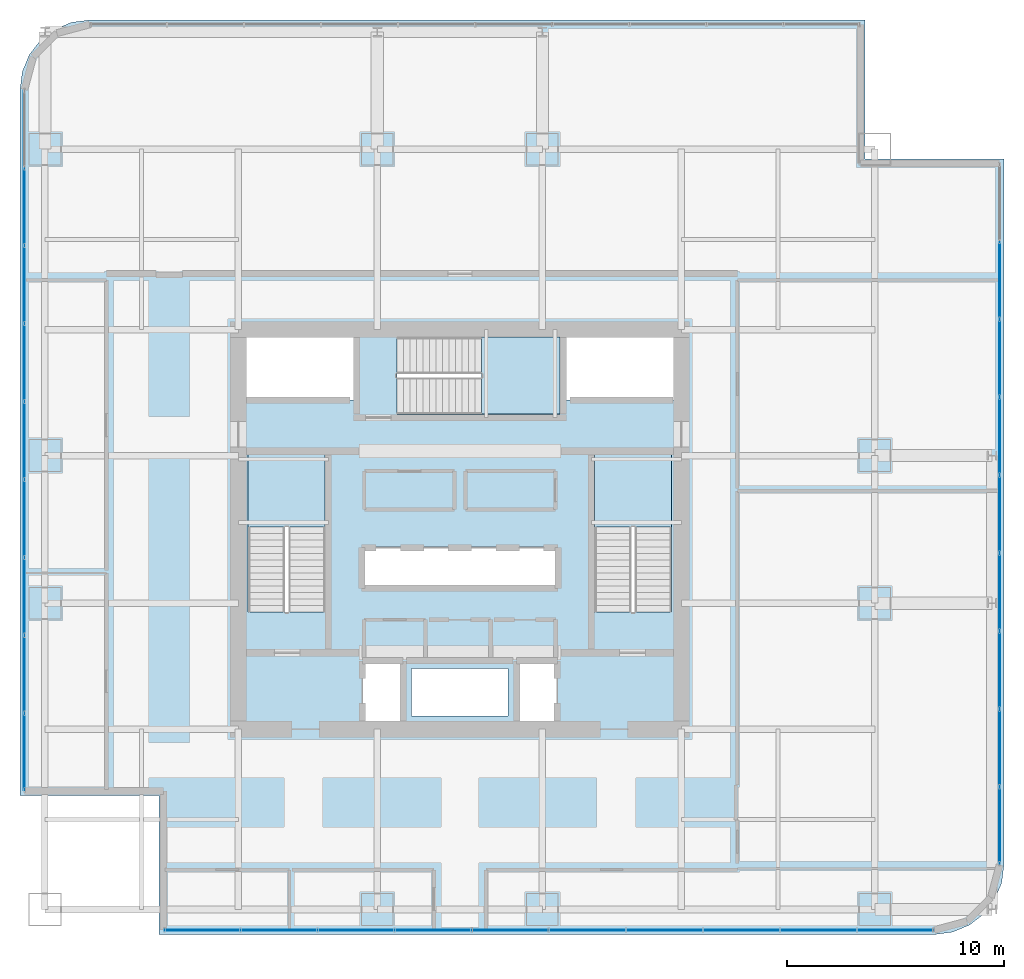
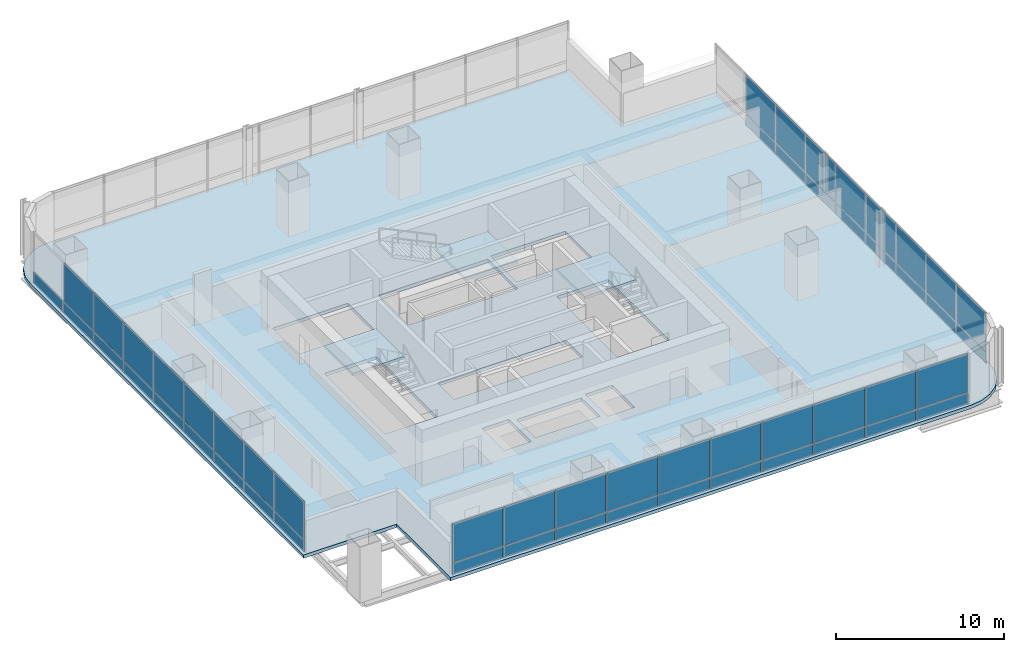
# One storey, part 26 of 33: 53 plates, 4 slabs, 6 elements without a shape of their own.
"""IFC4 building model written with IfcOpenShell, lengths in metres."""

from ifc_helpers import new_model, si_unit, direction, frame, origin, origin_2d, place, context, subcontext, project, spatial, polyline, rectangle, outline, extrude, material, layer, layer_set, type_object, element, aggregate, save


model = new_model("IFC4")

# Units and contexts
model_context = context("Model", 3, precision=1e-05, world=origin(), true_north=direction((0.0, 1.0)))
body_context = subcontext(model_context, "Body", "Model", "MODEL_VIEW")
ifc_project = project(units=[si_unit("LENGTHUNIT", "METRE"), si_unit("AREAUNIT", "SQUARE_METRE"), si_unit("VOLUMEUNIT", "CUBIC_METRE"), si_unit("PLANEANGLEUNIT", "RADIAN"), si_unit("MASSUNIT", "GRAM", prefix="KILO")], contexts=[model_context])

# Site, building, storey
site_placement = place(None, origin())
site = spatial("IfcSite", under=ifc_project, at=site_placement, CompositionType="ELEMENT")
building_placement = place(site_placement, origin())
building = spatial("IfcBuilding", under=site, at=building_placement, Name="Punatoya Terracotta Tower", CompositionType="ELEMENT")
storey_placement = place(building_placement, frame((0.0, 0.0, 121.35009765625)))
storey = spatial("IfcBuildingStorey", under=building, at=storey_placement, Name="L28", CompositionType="ELEMENT", Elevation=121.35009765625)

# Curtain wall, plates
ifc_material_1 = material(Name="Aluminium 6063-T6 + Double Low-E Glass", Category="aluminium")
curtain_wall_type = type_object("IfcCurtainWallType", Name="CW-M1", PredefinedType="NOTDEFINED", material=ifc_material_1)
curtain_wall_1_placement = place(storey_placement, origin())
curtain_wall_1 = element("IfcCurtainWall", 1, at=curtain_wall_1_placement, inside=storey, type_object=curtain_wall_type, Name="L28 Curtain Wall CW-L28-S01-1", PredefinedType="NOTDEFINED")
ifc_material_2 = material(Name="Double Low-E Clear Vision Glass", Category="glass")
ifc_layer_1 = layer(ifc_material_2, 0.028076171875)
ifc_layer_set_1 = layer_set([ifc_layer_1], Name="Double Low-E Clear Vision Glass")
plate_type_1 = type_object("IfcPlateType", Name="PLT-GLZ-28", PredefinedType="CURTAIN_PANEL", material=ifc_layer_set_1)
plate_1_placement = place(storey_placement, frame((-11.875732421875, -18.449951171875, 0.8896484375), z_axis=(0.0, 0.0, 1.0), x_axis=(1.0, 0.0, 0.0)))
plate_1 = element("IfcPlate", 2, at=plate_1_placement, type_object=plate_type_1, Name="CW-L28-S01-1 Vision Glass Panel 1", PredefinedType="CURTAIN_PANEL", context=body_context, shape_type="SweptSolid", body=[
    extrude(rectangle(XDim=3.463623046875, YDim=0.028076171875, at=origin_2d()), origin(), (0.0, 0.0, 1.0), 2.800048828125),
])
plate_2_placement = place(storey_placement, frame((-8.326904296875, -18.449951171875, 0.8896484375), z_axis=(0.0, 0.0, 1.0), x_axis=(1.0, 0.0, 0.0)))
plate_2 = element("IfcPlate", 3, at=plate_2_placement, type_object=plate_type_1, Name="CW-L28-S01-1 Vision Glass Panel 2", PredefinedType="CURTAIN_PANEL", context=body_context, shape_type="SweptSolid", body=[
    extrude(rectangle(XDim=3.463623046875, YDim=0.028076171875, at=origin_2d()), origin(), (0.0, 0.0, 1.0), 2.800048828125),
])
plate_3_placement = place(storey_placement, frame((-4.7783203125, -18.449951171875, 0.8896484375), z_axis=(0.0, 0.0, 1.0), x_axis=(1.0, 0.0, 0.0)))
plate_3 = element("IfcPlate", 4, at=plate_3_placement, type_object=plate_type_1, Name="CW-L28-S01-1 Vision Glass Panel 3", PredefinedType="CURTAIN_PANEL", context=body_context, shape_type="SweptSolid", body=[
    extrude(rectangle(XDim=3.463623046875, YDim=0.028076171875, at=origin_2d()), origin(), (0.0, 0.0, 1.0), 2.800048828125),
])
plate_4_placement = place(storey_placement, frame((-1.2294921875, -18.449951171875, 0.8896484375), z_axis=(0.0, 0.0, 1.0), x_axis=(1.0, 0.0, 0.0)))
plate_4 = element("IfcPlate", 5, at=plate_4_placement, type_object=plate_type_1, Name="CW-L28-S01-1 Vision Glass Panel 4", PredefinedType="CURTAIN_PANEL", context=body_context, shape_type="SweptSolid", body=[
    extrude(rectangle(XDim=3.463623046875, YDim=0.028076171875, at=origin_2d()), origin(), (0.0, 0.0, 1.0), 2.800048828125),
])
plate_5_placement = place(storey_placement, frame((2.319091796875, -18.449951171875, 0.8896484375), z_axis=(0.0, 0.0, 1.0), x_axis=(1.0, 0.0, 0.0)))
plate_5 = element("IfcPlate", 6, at=plate_5_placement, type_object=plate_type_1, Name="CW-L28-S01-1 Vision Glass Panel 5", PredefinedType="CURTAIN_PANEL", context=body_context, shape_type="SweptSolid", body=[
    extrude(rectangle(XDim=3.463623046875, YDim=0.028076171875, at=origin_2d()), origin(), (0.0, 0.0, 1.0), 2.800048828125),
])
plate_6_placement = place(storey_placement, frame((5.867919921875, -18.449951171875, 0.8896484375), z_axis=(0.0, 0.0, 1.0), x_axis=(1.0, 0.0, 0.0)))
plate_6 = element("IfcPlate", 7, at=plate_6_placement, type_object=plate_type_1, Name="CW-L28-S01-1 Vision Glass Panel 6", PredefinedType="CURTAIN_PANEL", context=body_context, shape_type="SweptSolid", body=[
    extrude(rectangle(XDim=3.463623046875, YDim=0.028076171875, at=origin_2d()), origin(), (0.0, 0.0, 1.0), 2.800048828125),
])
plate_7_placement = place(storey_placement, frame((9.41650390625, -18.449951171875, 0.8896484375), z_axis=(0.0, 0.0, 1.0), x_axis=(1.0, 0.0, 0.0)))
plate_7 = element("IfcPlate", 8, at=plate_7_placement, type_object=plate_type_1, Name="CW-L28-S01-1 Vision Glass Panel 7", PredefinedType="CURTAIN_PANEL", context=body_context, shape_type="SweptSolid", body=[
    extrude(rectangle(XDim=3.463623046875, YDim=0.028076171875, at=origin_2d()), origin(), (0.0, 0.0, 1.0), 2.800048828125),
])
plate_8_placement = place(storey_placement, frame((12.965087890625, -18.449951171875, 0.8896484375), z_axis=(0.0, 0.0, 1.0), x_axis=(1.0, 0.0, 0.0)))
plate_8 = element("IfcPlate", 9, at=plate_8_placement, type_object=plate_type_1, Name="CW-L28-S01-1 Vision Glass Panel 8", PredefinedType="CURTAIN_PANEL", context=body_context, shape_type="SweptSolid", body=[
    extrude(rectangle(XDim=3.463623046875, YDim=0.028076171875, at=origin_2d()), origin(), (0.0, 0.0, 1.0), 2.800048828125),
])
plate_9_placement = place(storey_placement, frame((16.513916015625, -18.449951171875, 0.8896484375), z_axis=(0.0, 0.0, 1.0), x_axis=(1.0, 0.0, 0.0)))
plate_9 = element("IfcPlate", 10, at=plate_9_placement, type_object=plate_type_1, Name="CW-L28-S01-1 Vision Glass Panel 9", PredefinedType="CURTAIN_PANEL", context=body_context, shape_type="SweptSolid", body=[
    extrude(rectangle(XDim=3.463623046875, YDim=0.028076171875, at=origin_2d()), origin(), (0.0, 0.0, 1.0), 2.800048828125),
])
plate_10_placement = place(storey_placement, frame((20.0625, -18.449951171875, 0.8896484375), z_axis=(0.0, 0.0, 1.0), x_axis=(1.0, 0.0, 0.0)))
plate_10 = element("IfcPlate", 11, at=plate_10_placement, type_object=plate_type_1, Name="CW-L28-S01-1 Vision Glass Panel 10", PredefinedType="CURTAIN_PANEL", context=body_context, shape_type="SweptSolid", body=[
    extrude(rectangle(XDim=3.463623046875, YDim=0.028076171875, at=origin_2d()), origin(), (0.0, 0.0, 1.0), 2.800048828125),
])

curtain_wall_2_placement = place(storey_placement, origin())
curtain_wall_2 = element("IfcCurtainWall", 12, at=curtain_wall_2_placement, inside=storey, type_object=curtain_wall_type, Name="L28 Curtain Wall CW-L28-E05-1", PredefinedType="NOTDEFINED")
plate_11_placement = place(storey_placement, frame((24.85009765625, -13.643310546875, 0.8896484375), z_axis=(0.0, 0.0, 1.0), x_axis=(0.0, 1.0, 0.0)))
plate_11 = element("IfcPlate", 13, at=plate_11_placement, type_object=plate_type_1, Name="CW-L28-E05-1 Vision Glass Panel 1", PredefinedType="CURTAIN_PANEL", context=body_context, shape_type="SweptSolid", body=[
    extrude(rectangle(XDim=3.50244140625, YDim=0.028076171875, at=origin_2d()), origin(), (0.0, 0.0, 1.0), 2.800048828125),
])
plate_12_placement = place(storey_placement, frame((24.85009765625, -10.0556640625, 0.8896484375), z_axis=(0.0, 0.0, 1.0), x_axis=(0.0, 1.0, 0.0)))
plate_12 = element("IfcPlate", 14, at=plate_12_placement, type_object=plate_type_1, Name="CW-L28-E05-1 Vision Glass Panel 2", PredefinedType="CURTAIN_PANEL", context=body_context, shape_type="SweptSolid", body=[
    extrude(rectangle(XDim=3.50244140625, YDim=0.028076171875, at=origin_2d()), origin(), (0.0, 0.0, 1.0), 2.800048828125),
])
plate_13_placement = place(storey_placement, frame((24.85009765625, -6.46826171875, 0.8896484375), z_axis=(0.0, 0.0, 1.0), x_axis=(0.0, 1.0, 0.0)))
plate_13 = element("IfcPlate", 15, at=plate_13_placement, type_object=plate_type_1, Name="CW-L28-E05-1 Vision Glass Panel 3", PredefinedType="CURTAIN_PANEL", context=body_context, shape_type="SweptSolid", body=[
    extrude(rectangle(XDim=3.50244140625, YDim=0.028076171875, at=origin_2d()), origin(), (0.0, 0.0, 1.0), 2.800048828125),
])
plate_14_placement = place(storey_placement, frame((24.85009765625, -2.880859375, 0.8896484375), z_axis=(0.0, 0.0, 1.0), x_axis=(0.0, 1.0, 0.0)))
plate_14 = element("IfcPlate", 16, at=plate_14_placement, type_object=plate_type_1, Name="CW-L28-E05-1 Vision Glass Panel 4", PredefinedType="CURTAIN_PANEL", context=body_context, shape_type="SweptSolid", body=[
    extrude(rectangle(XDim=3.50244140625, YDim=0.028076171875, at=origin_2d()), origin(), (0.0, 0.0, 1.0), 2.800048828125),
])
plate_15_placement = place(storey_placement, frame((24.85009765625, 0.70654296875, 0.8896484375), z_axis=(0.0, 0.0, 1.0), x_axis=(0.0, 1.0, 0.0)))
plate_15 = element("IfcPlate", 17, at=plate_15_placement, type_object=plate_type_1, Name="CW-L28-E05-1 Vision Glass Panel 5", PredefinedType="CURTAIN_PANEL", context=body_context, shape_type="SweptSolid", body=[
    extrude(rectangle(XDim=3.50244140625, YDim=0.028076171875, at=origin_2d()), origin(), (0.0, 0.0, 1.0), 2.800048828125),
])
plate_16_placement = place(storey_placement, frame((24.85009765625, 4.2939453125, 0.8896484375), z_axis=(0.0, 0.0, 1.0), x_axis=(0.0, 1.0, 0.0)))
plate_16 = element("IfcPlate", 18, at=plate_16_placement, type_object=plate_type_1, Name="CW-L28-E05-1 Vision Glass Panel 6", PredefinedType="CURTAIN_PANEL", context=body_context, shape_type="SweptSolid", body=[
    extrude(rectangle(XDim=3.50244140625, YDim=0.028076171875, at=origin_2d()), origin(), (0.0, 0.0, 1.0), 2.800048828125),
])
plate_17_placement = place(storey_placement, frame((24.85009765625, 7.88134765625, 0.8896484375), z_axis=(0.0, 0.0, 1.0), x_axis=(0.0, 1.0, 0.0)))
plate_17 = element("IfcPlate", 19, at=plate_17_placement, type_object=plate_type_1, Name="CW-L28-E05-1 Vision Glass Panel 7", PredefinedType="CURTAIN_PANEL", context=body_context, shape_type="SweptSolid", body=[
    extrude(rectangle(XDim=3.50244140625, YDim=0.028076171875, at=origin_2d()), origin(), (0.0, 0.0, 1.0), 2.800048828125),
])
plate_18_placement = place(storey_placement, frame((24.85009765625, 11.468994140625, 0.8896484375), z_axis=(0.0, 0.0, 1.0), x_axis=(0.0, 1.0, 0.0)))
plate_18 = element("IfcPlate", 20, at=plate_18_placement, type_object=plate_type_1, Name="CW-L28-E05-1 Vision Glass Panel 8", PredefinedType="CURTAIN_PANEL", context=body_context, shape_type="SweptSolid", body=[
    extrude(rectangle(XDim=3.50244140625, YDim=0.028076171875, at=origin_2d()), origin(), (0.0, 0.0, 1.0), 2.800048828125),
])

curtain_wall_3_placement = place(storey_placement, origin())
curtain_wall_3 = element("IfcCurtainWall", 21, at=curtain_wall_3_placement, inside=storey, type_object=curtain_wall_type, Name="L28 Curtain Wall CW-L28-W12-1", PredefinedType="NOTDEFINED")
plate_19_placement = place(storey_placement, frame((-20.050048828125, 14.855712890625, 0.8896484375), z_axis=(0.0, 0.0, 1.0), x_axis=(0.0, -1.0, 0.0)))
plate_19 = element("IfcPlate", 22, at=plate_19_placement, type_object=plate_type_1, Name="CW-L28-W12-1 Vision Glass Panel 2", PredefinedType="CURTAIN_PANEL", context=body_context, shape_type="SweptSolid", body=[
    extrude(rectangle(XDim=3.50244140625, YDim=0.028076171875, at=origin_2d()), origin(), (0.0, 0.0, 1.0), 2.800048828125),
])
plate_20_placement = place(storey_placement, frame((-20.050048828125, 11.268310546875, 0.8896484375), z_axis=(0.0, 0.0, 1.0), x_axis=(0.0, -1.0, 0.0)))
plate_20 = element("IfcPlate", 23, at=plate_20_placement, type_object=plate_type_1, Name="CW-L28-W12-1 Vision Glass Panel 3", PredefinedType="CURTAIN_PANEL", context=body_context, shape_type="SweptSolid", body=[
    extrude(rectangle(XDim=3.50244140625, YDim=0.028076171875, at=origin_2d()), origin(), (0.0, 0.0, 1.0), 2.800048828125),
])
plate_21_placement = place(storey_placement, frame((-20.050048828125, 7.680908203125, 0.8896484375), z_axis=(0.0, 0.0, 1.0), x_axis=(0.0, -1.0, 0.0)))
plate_21 = element("IfcPlate", 24, at=plate_21_placement, type_object=plate_type_1, Name="CW-L28-W12-1 Vision Glass Panel 4", PredefinedType="CURTAIN_PANEL", context=body_context, shape_type="SweptSolid", body=[
    extrude(rectangle(XDim=3.50244140625, YDim=0.028076171875, at=origin_2d()), origin(), (0.0, 0.0, 1.0), 2.800048828125),
])
plate_22_placement = place(storey_placement, frame((-20.050048828125, 4.093505859375, 0.8896484375), z_axis=(0.0, 0.0, 1.0), x_axis=(0.0, -1.0, 0.0)))
plate_22 = element("IfcPlate", 25, at=plate_22_placement, type_object=plate_type_1, Name="CW-L28-W12-1 Vision Glass Panel 5", PredefinedType="CURTAIN_PANEL", context=body_context, shape_type="SweptSolid", body=[
    extrude(rectangle(XDim=3.50244140625, YDim=0.028076171875, at=origin_2d()), origin(), (0.0, 0.0, 1.0), 2.800048828125),
])
plate_23_placement = place(storey_placement, frame((-20.050048828125, 0.506103515625, 0.8896484375), z_axis=(0.0, 0.0, 1.0), x_axis=(0.0, -1.0, 0.0)))
plate_23 = element("IfcPlate", 26, at=plate_23_placement, type_object=plate_type_1, Name="CW-L28-W12-1 Vision Glass Panel 6", PredefinedType="CURTAIN_PANEL", context=body_context, shape_type="SweptSolid", body=[
    extrude(rectangle(XDim=3.50244140625, YDim=0.028076171875, at=origin_2d()), origin(), (0.0, 0.0, 1.0), 2.800048828125),
])
plate_24_placement = place(storey_placement, frame((-20.050048828125, -3.081298828125, 0.8896484375), z_axis=(0.0, 0.0, 1.0), x_axis=(0.0, -1.0, 0.0)))
plate_24 = element("IfcPlate", 27, at=plate_24_placement, type_object=plate_type_1, Name="CW-L28-W12-1 Vision Glass Panel 7", PredefinedType="CURTAIN_PANEL", context=body_context, shape_type="SweptSolid", body=[
    extrude(rectangle(XDim=3.50244140625, YDim=0.028076171875, at=origin_2d()), origin(), (0.0, 0.0, 1.0), 2.800048828125),
])
plate_25_placement = place(storey_placement, frame((-20.050048828125, -6.6689453125, 0.8896484375), z_axis=(0.0, 0.0, 1.0), x_axis=(0.0, -1.0, 0.0)))
plate_25 = element("IfcPlate", 28, at=plate_25_placement, type_object=plate_type_1, Name="CW-L28-W12-1 Vision Glass Panel 8", PredefinedType="CURTAIN_PANEL", context=body_context, shape_type="SweptSolid", body=[
    extrude(rectangle(XDim=3.50244140625, YDim=0.028076171875, at=origin_2d()), origin(), (0.0, 0.0, 1.0), 2.800048828125),
])
plate_26_placement = place(storey_placement, frame((-20.050048828125, -10.25634765625, 0.8896484375), z_axis=(0.0, 0.0, 1.0), x_axis=(0.0, -1.0, 0.0)))
plate_26 = element("IfcPlate", 29, at=plate_26_placement, type_object=plate_type_1, Name="CW-L28-W12-1 Vision Glass Panel 9", PredefinedType="CURTAIN_PANEL", context=body_context, shape_type="SweptSolid", body=[
    extrude(rectangle(XDim=3.50244140625, YDim=0.028076171875, at=origin_2d()), origin(), (0.0, 0.0, 1.0), 2.800048828125),
])

# Plate
ifc_material_3 = material(Name="Insulated Terracotta-Backed Spandrel Panel", Category="masonry")
ifc_layer_2 = layer(ifc_material_3, 0.044921875)
ifc_layer_set_2 = layer_set([ifc_layer_2], Name="Insulated Terracotta-Backed Spandrel Panel")
plate_type_2 = type_object("IfcPlateType", Name="PLT-SPN-45", PredefinedType="CURTAIN_PANEL", material=ifc_layer_set_2)
plate_27_placement = place(storey_placement, frame((-11.875732421875, -18.449951171875, 0.0400390625), z_axis=(0.0, 0.0, 1.0), x_axis=(1.0, 0.0, 0.0)))
plate_27 = element("IfcPlate", 30, at=plate_27_placement, type_object=plate_type_2, Name="CW-L28-S01-1 Terracotta Spandrel Panel 1", PredefinedType="CURTAIN_PANEL", context=body_context, shape_type="SweptSolid", body=[
    extrude(rectangle(XDim=3.463623046875, YDim=0.044921875, at=origin_2d()), origin(), (0.0, 0.0, 1.0), 0.77490234375),
])

plate_28_placement = place(storey_placement, frame((-8.326904296875, -18.449951171875, 0.0400390625), z_axis=(0.0, 0.0, 1.0), x_axis=(1.0, 0.0, 0.0)))
plate_28 = element("IfcPlate", 31, at=plate_28_placement, type_object=plate_type_2, Name="CW-L28-S01-1 Terracotta Spandrel Panel 2", PredefinedType="CURTAIN_PANEL", context=body_context, shape_type="SweptSolid", body=[
    extrude(rectangle(XDim=3.463623046875, YDim=0.044921875, at=origin_2d()), origin(), (0.0, 0.0, 1.0), 0.77490234375),
])

plate_29_placement = place(storey_placement, frame((-4.7783203125, -18.449951171875, 0.0400390625), z_axis=(0.0, 0.0, 1.0), x_axis=(1.0, 0.0, 0.0)))
plate_29 = element("IfcPlate", 32, at=plate_29_placement, type_object=plate_type_2, Name="CW-L28-S01-1 Terracotta Spandrel Panel 3", PredefinedType="CURTAIN_PANEL", context=body_context, shape_type="SweptSolid", body=[
    extrude(rectangle(XDim=3.463623046875, YDim=0.044921875, at=origin_2d()), origin(), (0.0, 0.0, 1.0), 0.77490234375),
])

plate_30_placement = place(storey_placement, frame((-1.2294921875, -18.449951171875, 0.0400390625), z_axis=(0.0, 0.0, 1.0), x_axis=(1.0, 0.0, 0.0)))
plate_30 = element("IfcPlate", 33, at=plate_30_placement, type_object=plate_type_2, Name="CW-L28-S01-1 Terracotta Spandrel Panel 4", PredefinedType="CURTAIN_PANEL", context=body_context, shape_type="SweptSolid", body=[
    extrude(rectangle(XDim=3.463623046875, YDim=0.044921875, at=origin_2d()), origin(), (0.0, 0.0, 1.0), 0.77490234375),
])

plate_31_placement = place(storey_placement, frame((2.319091796875, -18.449951171875, 0.0400390625), z_axis=(0.0, 0.0, 1.0), x_axis=(1.0, 0.0, 0.0)))
plate_31 = element("IfcPlate", 34, at=plate_31_placement, type_object=plate_type_2, Name="CW-L28-S01-1 Terracotta Spandrel Panel 5", PredefinedType="CURTAIN_PANEL", context=body_context, shape_type="SweptSolid", body=[
    extrude(rectangle(XDim=3.463623046875, YDim=0.044921875, at=origin_2d()), origin(), (0.0, 0.0, 1.0), 0.77490234375),
])

plate_32_placement = place(storey_placement, frame((5.867919921875, -18.449951171875, 0.0400390625), z_axis=(0.0, 0.0, 1.0), x_axis=(1.0, 0.0, 0.0)))
plate_32 = element("IfcPlate", 35, at=plate_32_placement, type_object=plate_type_2, Name="CW-L28-S01-1 Terracotta Spandrel Panel 6", PredefinedType="CURTAIN_PANEL", context=body_context, shape_type="SweptSolid", body=[
    extrude(rectangle(XDim=3.463623046875, YDim=0.044921875, at=origin_2d()), origin(), (0.0, 0.0, 1.0), 0.77490234375),
])

plate_33_placement = place(storey_placement, frame((9.41650390625, -18.449951171875, 0.0400390625), z_axis=(0.0, 0.0, 1.0), x_axis=(1.0, 0.0, 0.0)))
plate_33 = element("IfcPlate", 36, at=plate_33_placement, type_object=plate_type_2, Name="CW-L28-S01-1 Terracotta Spandrel Panel 7", PredefinedType="CURTAIN_PANEL", context=body_context, shape_type="SweptSolid", body=[
    extrude(rectangle(XDim=3.463623046875, YDim=0.044921875, at=origin_2d()), origin(), (0.0, 0.0, 1.0), 0.77490234375),
])

plate_34_placement = place(storey_placement, frame((12.965087890625, -18.449951171875, 0.0400390625), z_axis=(0.0, 0.0, 1.0), x_axis=(1.0, 0.0, 0.0)))
plate_34 = element("IfcPlate", 37, at=plate_34_placement, type_object=plate_type_2, Name="CW-L28-S01-1 Terracotta Spandrel Panel 8", PredefinedType="CURTAIN_PANEL", context=body_context, shape_type="SweptSolid", body=[
    extrude(rectangle(XDim=3.463623046875, YDim=0.044921875, at=origin_2d()), origin(), (0.0, 0.0, 1.0), 0.77490234375),
])

plate_35_placement = place(storey_placement, frame((16.513916015625, -18.449951171875, 0.0400390625), z_axis=(0.0, 0.0, 1.0), x_axis=(1.0, 0.0, 0.0)))
plate_35 = element("IfcPlate", 38, at=plate_35_placement, type_object=plate_type_2, Name="CW-L28-S01-1 Terracotta Spandrel Panel 9", PredefinedType="CURTAIN_PANEL", context=body_context, shape_type="SweptSolid", body=[
    extrude(rectangle(XDim=3.463623046875, YDim=0.044921875, at=origin_2d()), origin(), (0.0, 0.0, 1.0), 0.77490234375),
])

plate_36_placement = place(storey_placement, frame((20.0625, -18.449951171875, 0.0400390625), z_axis=(0.0, 0.0, 1.0), x_axis=(1.0, 0.0, 0.0)))
plate_36 = element("IfcPlate", 39, at=plate_36_placement, type_object=plate_type_2, Name="CW-L28-S01-1 Terracotta Spandrel Panel 10", PredefinedType="CURTAIN_PANEL", context=body_context, shape_type="SweptSolid", body=[
    extrude(rectangle(XDim=3.463623046875, YDim=0.044921875, at=origin_2d()), origin(), (0.0, 0.0, 1.0), 0.77490234375),
])

aggregate(curtain_wall_1, [plate_27, plate_1, plate_28, plate_2, plate_29, plate_3, plate_30, plate_4, plate_31, plate_5, plate_32, plate_6, plate_33, plate_7, plate_34, plate_8, plate_35, plate_9, plate_36, plate_10])

plate_37_placement = place(storey_placement, frame((24.85009765625, -13.643310546875, 0.0400390625), z_axis=(0.0, 0.0, 1.0), x_axis=(0.0, 1.0, 0.0)))
plate_37 = element("IfcPlate", 40, at=plate_37_placement, type_object=plate_type_2, Name="CW-L28-E05-1 Terracotta Spandrel Panel 1", PredefinedType="CURTAIN_PANEL", context=body_context, shape_type="SweptSolid", body=[
    extrude(rectangle(XDim=3.50244140625, YDim=0.044921875, at=origin_2d()), origin(), (0.0, 0.0, 1.0), 0.77490234375),
])

plate_38_placement = place(storey_placement, frame((24.85009765625, -10.0556640625, 0.0400390625), z_axis=(0.0, 0.0, 1.0), x_axis=(0.0, 1.0, 0.0)))
plate_38 = element("IfcPlate", 41, at=plate_38_placement, type_object=plate_type_2, Name="CW-L28-E05-1 Terracotta Spandrel Panel 2", PredefinedType="CURTAIN_PANEL", context=body_context, shape_type="SweptSolid", body=[
    extrude(rectangle(XDim=3.50244140625, YDim=0.044921875, at=origin_2d()), origin(), (0.0, 0.0, 1.0), 0.77490234375),
])

plate_39_placement = place(storey_placement, frame((24.85009765625, -6.46826171875, 0.0400390625), z_axis=(0.0, 0.0, 1.0), x_axis=(0.0, 1.0, 0.0)))
plate_39 = element("IfcPlate", 42, at=plate_39_placement, type_object=plate_type_2, Name="CW-L28-E05-1 Terracotta Spandrel Panel 3", PredefinedType="CURTAIN_PANEL", context=body_context, shape_type="SweptSolid", body=[
    extrude(rectangle(XDim=3.50244140625, YDim=0.044921875, at=origin_2d()), origin(), (0.0, 0.0, 1.0), 0.77490234375),
])

plate_40_placement = place(storey_placement, frame((24.85009765625, -2.880859375, 0.0400390625), z_axis=(0.0, 0.0, 1.0), x_axis=(0.0, 1.0, 0.0)))
plate_40 = element("IfcPlate", 43, at=plate_40_placement, type_object=plate_type_2, Name="CW-L28-E05-1 Terracotta Spandrel Panel 4", PredefinedType="CURTAIN_PANEL", context=body_context, shape_type="SweptSolid", body=[
    extrude(rectangle(XDim=3.50244140625, YDim=0.044921875, at=origin_2d()), origin(), (0.0, 0.0, 1.0), 0.77490234375),
])

plate_41_placement = place(storey_placement, frame((24.85009765625, 0.70654296875, 0.0400390625), z_axis=(0.0, 0.0, 1.0), x_axis=(0.0, 1.0, 0.0)))
plate_41 = element("IfcPlate", 44, at=plate_41_placement, type_object=plate_type_2, Name="CW-L28-E05-1 Terracotta Spandrel Panel 5", PredefinedType="CURTAIN_PANEL", context=body_context, shape_type="SweptSolid", body=[
    extrude(rectangle(XDim=3.50244140625, YDim=0.044921875, at=origin_2d()), origin(), (0.0, 0.0, 1.0), 0.77490234375),
])

plate_42_placement = place(storey_placement, frame((24.85009765625, 4.2939453125, 0.0400390625), z_axis=(0.0, 0.0, 1.0), x_axis=(0.0, 1.0, 0.0)))
plate_42 = element("IfcPlate", 45, at=plate_42_placement, type_object=plate_type_2, Name="CW-L28-E05-1 Terracotta Spandrel Panel 6", PredefinedType="CURTAIN_PANEL", context=body_context, shape_type="SweptSolid", body=[
    extrude(rectangle(XDim=3.50244140625, YDim=0.044921875, at=origin_2d()), origin(), (0.0, 0.0, 1.0), 0.77490234375),
])

plate_43_placement = place(storey_placement, frame((24.85009765625, 7.88134765625, 0.0400390625), z_axis=(0.0, 0.0, 1.0), x_axis=(0.0, 1.0, 0.0)))
plate_43 = element("IfcPlate", 46, at=plate_43_placement, type_object=plate_type_2, Name="CW-L28-E05-1 Terracotta Spandrel Panel 7", PredefinedType="CURTAIN_PANEL", context=body_context, shape_type="SweptSolid", body=[
    extrude(rectangle(XDim=3.50244140625, YDim=0.044921875, at=origin_2d()), origin(), (0.0, 0.0, 1.0), 0.77490234375),
])

plate_44_placement = place(storey_placement, frame((24.85009765625, 11.468994140625, 0.0400390625), z_axis=(0.0, 0.0, 1.0), x_axis=(0.0, 1.0, 0.0)))
plate_44 = element("IfcPlate", 47, at=plate_44_placement, type_object=plate_type_2, Name="CW-L28-E05-1 Terracotta Spandrel Panel 8", PredefinedType="CURTAIN_PANEL", context=body_context, shape_type="SweptSolid", body=[
    extrude(rectangle(XDim=3.50244140625, YDim=0.044921875, at=origin_2d()), origin(), (0.0, 0.0, 1.0), 0.77490234375),
])

aggregate(curtain_wall_2, [plate_37, plate_11, plate_38, plate_12, plate_39, plate_13, plate_40, plate_14, plate_41, plate_15, plate_42, plate_16, plate_43, plate_17, plate_44, plate_18])

plate_45_placement = place(storey_placement, frame((-20.050048828125, 18.443115234375, 0.0400390625), z_axis=(0.0, 0.0, 1.0), x_axis=(0.0, -1.0, 0.0)))
plate_45 = element("IfcPlate", 48, at=plate_45_placement, type_object=plate_type_2, Name="CW-L28-W12-1 Terracotta Spandrel Panel 1", PredefinedType="CURTAIN_PANEL", context=body_context, shape_type="SweptSolid", body=[
    extrude(rectangle(XDim=3.50244140625, YDim=0.044921875, at=origin_2d()), origin(), (0.0, 0.0, 1.0), 0.77490234375),
])

plate_46_placement = place(storey_placement, frame((-20.050048828125, 14.855712890625, 0.0400390625), z_axis=(0.0, 0.0, 1.0), x_axis=(0.0, -1.0, 0.0)))
plate_46 = element("IfcPlate", 49, at=plate_46_placement, type_object=plate_type_2, Name="CW-L28-W12-1 Terracotta Spandrel Panel 2", PredefinedType="CURTAIN_PANEL", context=body_context, shape_type="SweptSolid", body=[
    extrude(rectangle(XDim=3.50244140625, YDim=0.044921875, at=origin_2d()), origin(), (0.0, 0.0, 1.0), 0.77490234375),
])

plate_47_placement = place(storey_placement, frame((-20.050048828125, 11.268310546875, 0.0400390625), z_axis=(0.0, 0.0, 1.0), x_axis=(0.0, -1.0, 0.0)))
plate_47 = element("IfcPlate", 50, at=plate_47_placement, type_object=plate_type_2, Name="CW-L28-W12-1 Terracotta Spandrel Panel 3", PredefinedType="CURTAIN_PANEL", context=body_context, shape_type="SweptSolid", body=[
    extrude(rectangle(XDim=3.50244140625, YDim=0.044921875, at=origin_2d()), origin(), (0.0, 0.0, 1.0), 0.77490234375),
])

plate_48_placement = place(storey_placement, frame((-20.050048828125, 7.680908203125, 0.0400390625), z_axis=(0.0, 0.0, 1.0), x_axis=(0.0, -1.0, 0.0)))
plate_48 = element("IfcPlate", 51, at=plate_48_placement, type_object=plate_type_2, Name="CW-L28-W12-1 Terracotta Spandrel Panel 4", PredefinedType="CURTAIN_PANEL", context=body_context, shape_type="SweptSolid", body=[
    extrude(rectangle(XDim=3.50244140625, YDim=0.044921875, at=origin_2d()), origin(), (0.0, 0.0, 1.0), 0.77490234375),
])

plate_49_placement = place(storey_placement, frame((-20.050048828125, 4.093505859375, 0.0400390625), z_axis=(0.0, 0.0, 1.0), x_axis=(0.0, -1.0, 0.0)))
plate_49 = element("IfcPlate", 52, at=plate_49_placement, type_object=plate_type_2, Name="CW-L28-W12-1 Terracotta Spandrel Panel 5", PredefinedType="CURTAIN_PANEL", context=body_context, shape_type="SweptSolid", body=[
    extrude(rectangle(XDim=3.50244140625, YDim=0.044921875, at=origin_2d()), origin(), (0.0, 0.0, 1.0), 0.77490234375),
])

plate_50_placement = place(storey_placement, frame((-20.050048828125, 0.506103515625, 0.0400390625), z_axis=(0.0, 0.0, 1.0), x_axis=(0.0, -1.0, 0.0)))
plate_50 = element("IfcPlate", 53, at=plate_50_placement, type_object=plate_type_2, Name="CW-L28-W12-1 Terracotta Spandrel Panel 6", PredefinedType="CURTAIN_PANEL", context=body_context, shape_type="SweptSolid", body=[
    extrude(rectangle(XDim=3.50244140625, YDim=0.044921875, at=origin_2d()), origin(), (0.0, 0.0, 1.0), 0.77490234375),
])

plate_51_placement = place(storey_placement, frame((-20.050048828125, -3.081298828125, 0.0400390625), z_axis=(0.0, 0.0, 1.0), x_axis=(0.0, -1.0, 0.0)))
plate_51 = element("IfcPlate", 54, at=plate_51_placement, type_object=plate_type_2, Name="CW-L28-W12-1 Terracotta Spandrel Panel 7", PredefinedType="CURTAIN_PANEL", context=body_context, shape_type="SweptSolid", body=[
    extrude(rectangle(XDim=3.50244140625, YDim=0.044921875, at=origin_2d()), origin(), (0.0, 0.0, 1.0), 0.77490234375),
])

plate_52_placement = place(storey_placement, frame((-20.050048828125, -6.6689453125, 0.0400390625), z_axis=(0.0, 0.0, 1.0), x_axis=(0.0, -1.0, 0.0)))
plate_52 = element("IfcPlate", 55, at=plate_52_placement, type_object=plate_type_2, Name="CW-L28-W12-1 Terracotta Spandrel Panel 8", PredefinedType="CURTAIN_PANEL", context=body_context, shape_type="SweptSolid", body=[
    extrude(rectangle(XDim=3.50244140625, YDim=0.044921875, at=origin_2d()), origin(), (0.0, 0.0, 1.0), 0.77490234375),
])

plate_53_placement = place(storey_placement, frame((-20.050048828125, -10.25634765625, 0.0400390625), z_axis=(0.0, 0.0, 1.0), x_axis=(0.0, -1.0, 0.0)))
plate_53 = element("IfcPlate", 56, at=plate_53_placement, type_object=plate_type_2, Name="CW-L28-W12-1 Terracotta Spandrel Panel 9", PredefinedType="CURTAIN_PANEL", context=body_context, shape_type="SweptSolid", body=[
    extrude(rectangle(XDim=3.50244140625, YDim=0.044921875, at=origin_2d()), origin(), (0.0, 0.0, 1.0), 0.77490234375),
])

aggregate(curtain_wall_3, [plate_45, plate_46, plate_19, plate_47, plate_20, plate_48, plate_21, plate_49, plate_22, plate_50, plate_23, plate_51, plate_24, plate_52, plate_25, plate_53, plate_26])

# Stair, slab
ifc_material_4 = material(Name="Concrete C40/50", Category="concrete")
stair_type_1 = type_object("IfcStairType", Name="STR-TER-1450", PredefinedType="HALF_TURN_STAIR", material=ifc_material_4)
stair_1_placement = place(storey_placement, origin())
stair_1 = element("IfcStair", 57, at=stair_1_placement, inside=storey, type_object=stair_type_1, Name="L28 Protected Core Exit Stair ST-3", PredefinedType="HALF_TURN_STAIR")
ifc_layer_3 = layer(ifc_material_4, 0.1650390625)
ifc_layer_set_3 = layer_set([ifc_layer_3], Name="Concrete C40/50")
slab_type_1 = type_object("IfcSlabType", Name="SLB-LND-165", PredefinedType="LANDING", material=ifc_layer_set_3)
slab_1_placement = place(storey_placement, frame((0.0, 0.0, 1.824951171875)))
slab_1 = element("IfcSlab", 58, at=slab_1_placement, type_object=slab_type_1, Name="ST-3 landing 1", PredefinedType="LANDING", context=body_context, shape_type="SweptSolid", body=[
    extrude(outline(polyline([(1.0, 5.300048828125), (4.60009765625, 5.300048828125), (4.60009765625, 8.85009765625), (1.0, 8.85009765625), (1.0, 5.300048828125)])), origin(), (0.0, 0.0, 1.0), 0.199951171875),
])
aggregate(stair_1, [slab_1])

stair_type_2 = type_object("IfcStairType", Name="STR-CORE-1550", PredefinedType="HALF_TURN_STAIR", material=ifc_material_4)
stair_2_placement = place(storey_placement, origin())
stair_2 = element("IfcStair", 59, at=stair_2_placement, inside=storey, type_object=stair_type_2, Name="L28 Protected Core Exit Stair ST-1", PredefinedType="HALF_TURN_STAIR")
ifc_layer_4 = layer(ifc_material_4, 0.179931640625)
ifc_layer_set_4 = layer_set([ifc_layer_4], Name="Concrete C40/50")
slab_type_2 = type_object("IfcSlabType", Name="SLB-LND-180", PredefinedType="LANDING", material=ifc_layer_set_4)
slab_2_placement = place(storey_placement, frame((0.0, 0.0, 1.824951171875)))
slab_2 = element("IfcSlab", 60, at=slab_2_placement, type_object=slab_type_2, Name="ST-1 landing 1", PredefinedType="LANDING", context=body_context, shape_type="SweptSolid", body=[
    extrude(outline(polyline([(-6.199951171875, 0.10009765625), (-6.199951171875, 3.449951171875), (-9.75, 3.449951171875), (-9.75, 0.10009765625), (-6.199951171875, 0.10009765625)])), origin(), (0.0, 0.0, 1.0), 0.199951171875),
])
aggregate(stair_2, [slab_2])

stair_type_3 = type_object("IfcStairType", Name="STR-LOB-1650", PredefinedType="HALF_TURN_STAIR", material=ifc_material_4)
stair_3_placement = place(storey_placement, origin())
stair_3 = element("IfcStair", 61, at=stair_3_placement, inside=storey, type_object=stair_type_3, Name="L28 Protected Core Exit Stair ST-2", PredefinedType="HALF_TURN_STAIR")
slab_3_placement = place(storey_placement, frame((0.0, 0.0, 1.824951171875)))
slab_3 = element("IfcSlab", 62, at=slab_3_placement, type_object=slab_type_2, Name="ST-2 landing 1", PredefinedType="LANDING", context=body_context, shape_type="SweptSolid", body=[
    extrude(outline(polyline([(9.75, 0.10009765625), (9.75, 3.449951171875), (6.199951171875, 3.449951171875), (6.199951171875, 0.10009765625), (9.75, 0.10009765625)])), origin(), (0.0, 0.0, 1.0), 0.199951171875),
])
aggregate(stair_3, [slab_3])

# Slab
ifc_layer_5 = layer(ifc_material_4, 0.239990234375)
ifc_layer_set_5 = layer_set([ifc_layer_5], Name="Concrete C40/50")
slab_type_3 = type_object("IfcSlabType", Name="SLB-OFF-240", PredefinedType="FLOOR", material=ifc_layer_set_5)
slab_4_placement = place(storey_placement, frame((0.0, 0.0, -0.239990234375)))
element("IfcSlab", 63, at=slab_4_placement, inside=storey, type_object=slab_type_3, Name="L28 Structural Floor Slab", PredefinedType="FLOOR", context=body_context, shape_type="SweptSolid", body=[
    extrude(outline(polyline([(-13.85009765625, -18.64990234375), (-13.85009765625, -12.25), (-20.25, -12.25), (-20.25, 20.25), (-20.14111328125, 21.078125), (-19.8212890625, 21.85009765625), (-19.312744140625, 22.5126953125), (-18.64990234375, 23.021240234375), (-17.878173828125, 23.341064453125), (-17.050048828125, 23.449951171875), (18.64990234375, 23.449951171875), (18.64990234375, 17.050048828125), (25.050048828125, 17.050048828125), (25.050048828125, -15.449951171875), (24.94091796875, -16.2783203125), (24.621337890625, -17.050048828125), (24.11279296875, -17.712646484375), (23.449951171875, -18.22119140625), (22.67822265625, -18.541015625), (21.85009765625, -18.64990234375), (-13.85009765625, -18.64990234375)]), holes=[polyline([(-2.6298828125, -6.179931640625), (-4.469970703125, -6.179931640625), (-4.469970703125, -8.820068359375), (-2.6298828125, -8.820068359375), (-2.6298828125, -6.179931640625)]), polyline([(0.02001953125, -8.594970703125), (2.219970703125, -8.594970703125), (2.219970703125, -6.405029296875), (0.02001953125, -6.405029296875), (-0.02001953125, -6.405029296875), (-2.219970703125, -6.405029296875), (-2.219970703125, -8.594970703125), (-0.02001953125, -8.594970703125), (0.02001953125, -8.594970703125)]), polyline([(-2.219970703125, -2.719970703125), (-2.179931640625, -2.719970703125), (-0.02001953125, -2.719970703125), (0.02001953125, -2.719970703125), (2.179931640625, -2.719970703125), (2.219970703125, -2.719970703125), (4.419921875, -2.719970703125), (4.419921875, -0.780029296875), (2.219970703125, -0.780029296875), (2.179931640625, -0.780029296875), (0.02001953125, -0.780029296875), (-0.02001953125, -0.780029296875), (-2.179931640625, -0.780029296875), (-2.219970703125, -0.780029296875), (-4.419921875, -0.780029296875), (-4.419921875, -2.719970703125), (-2.219970703125, -2.719970703125)]), polyline([(-6.199951171875, 3.449951171875), (-9.75, 3.449951171875), (-9.75, -3.79931640625), (-6.199951171875, -3.79931640625), (-6.199951171875, 3.449951171875)]), polyline([(4.60009765625, 5.300048828125), (4.60009765625, 8.85009765625), (-2.899169921875, 8.85009765625), (-2.899169921875, 5.300048828125), (4.60009765625, 5.300048828125)]), polyline([(-4.89990234375, 9.050048828125), (-10.050048828125, 9.050048828125), (-10.050048828125, 5.949951171875), (-4.89990234375, 5.949951171875), (-4.89990234375, 9.050048828125)]), polyline([(4.469970703125, -8.820068359375), (4.469970703125, -6.179931640625), (2.6298828125, -6.179931640625), (2.6298828125, -8.820068359375), (4.469970703125, -8.820068359375)]), polyline([(9.75, 3.449951171875), (6.199951171875, 3.449951171875), (6.199951171875, -3.79931640625), (9.75, -3.79931640625), (9.75, 3.449951171875)]), polyline([(10.050048828125, 5.949951171875), (10.050048828125, 9.050048828125), (4.89990234375, 9.050048828125), (4.89990234375, 5.949951171875), (10.050048828125, 5.949951171875)])]), origin(), (0.0, 0.0, 1.0), 0.239990234375),
])

save(model, "model.ifc")
